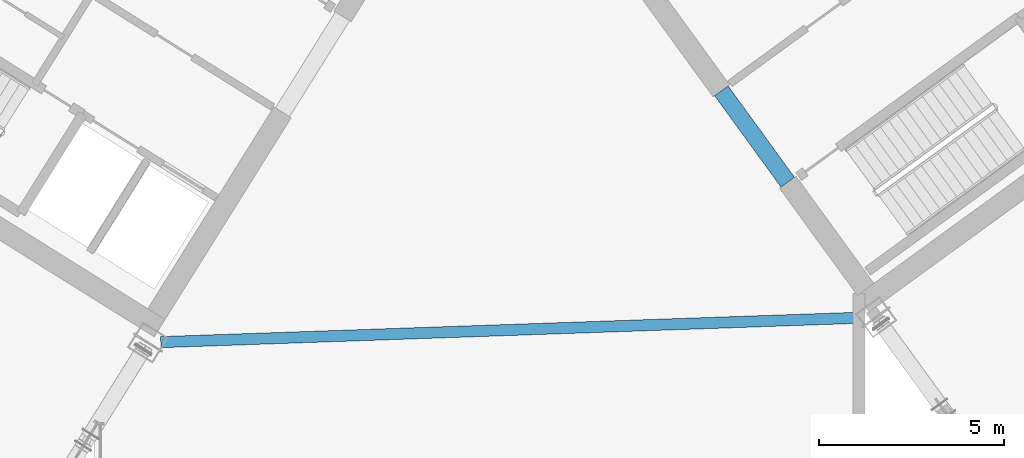
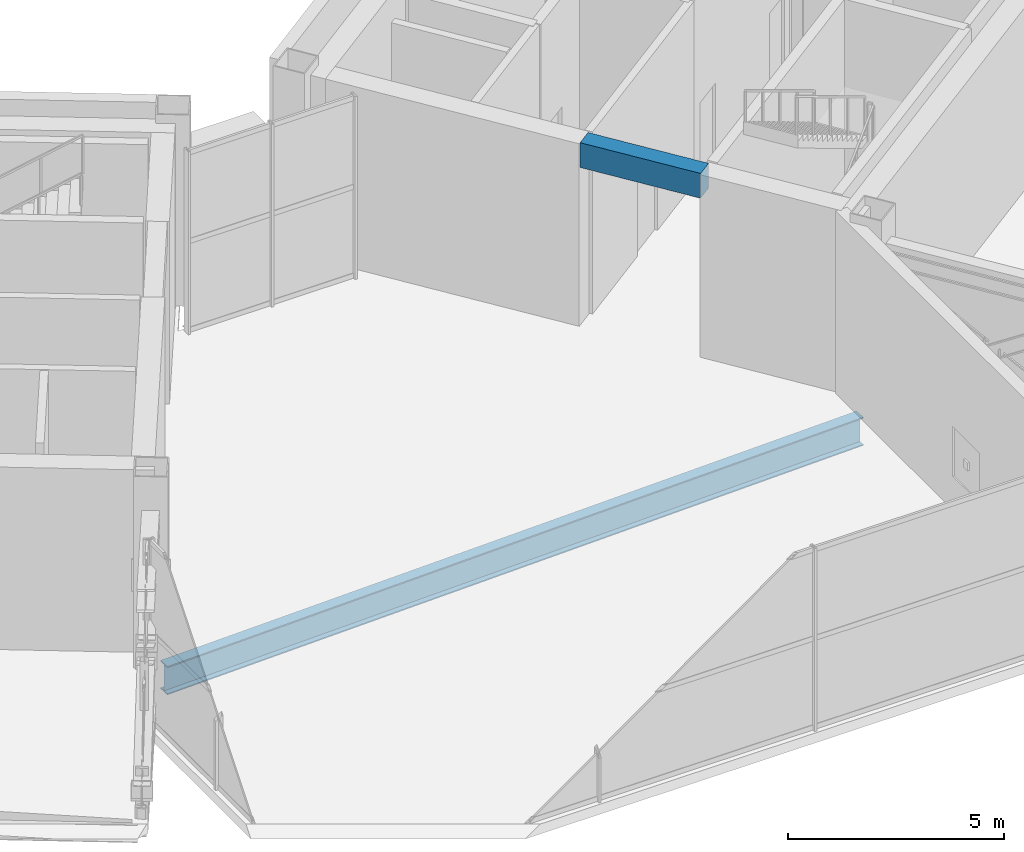
# One storey, part 9 of 30: 2 beams.
"""IFC4 building model written with IfcOpenShell, lengths in metres."""

from ifc_helpers import new_model, si_unit, direction, frame, origin, origin_2d, place, context, subcontext, project, spatial, rectangle, i_section, extrude, source, transform, mapped, material, material_profile, profile_set, type_object, element, save


model = new_model("IFC4")

# Units and contexts
model_context = context("Model", 3, precision=1e-05, world=origin(), true_north=direction((0.0, 1.0)))
body_context = subcontext(model_context, "Body", "Model", "MODEL_VIEW")
ifc_project = project(units=[si_unit("LENGTHUNIT", "METRE"), si_unit("AREAUNIT", "SQUARE_METRE"), si_unit("VOLUMEUNIT", "CUBIC_METRE"), si_unit("PLANEANGLEUNIT", "RADIAN"), si_unit("MASSUNIT", "GRAM", prefix="KILO")], contexts=[model_context])

# Site, building, storey
site_placement = place(None, origin())
site = spatial("IfcSite", under=ifc_project, at=site_placement, CompositionType="ELEMENT")
building_placement = place(site_placement, origin())
building = spatial("IfcBuilding", under=site, at=building_placement, Name="Tlacorven Tower", CompositionType="ELEMENT")
storey_placement = place(building_placement, frame((0.0, 0.0, 169.5)))
storey = spatial("IfcBuildingStorey", under=building, at=storey_placement, Name="L43", CompositionType="ELEMENT", Elevation=169.5)

# Beams
ifc_material_1 = material(Name="Concrete C60/75", Category="concrete")
ifc_material_profile_1 = material_profile(ifc_material_1, rectangle(XDim=0.449951171875, YDim=0.699951171875, at=origin_2d()), Name="RC 450X700")
ifc_profile_set_1 = profile_set([ifc_material_profile_1], Name="Concrete C60/75")
beam_type_1 = type_object("IfcBeamType", Name="BM-LNT-700", PredefinedType="LINTEL", material=ifc_profile_set_1)
shared_shape_1 = source(origin(), body_context, "Body", "SweptSolid", [
    extrude(rectangle(XDim=0.449951171875, YDim=0.699951171875, at=origin_2d()), origin(), (0.0, 0.0, 1.0), 3.050048828125),
])
beam_1_placement = place(storey_placement, frame((50.318359375, 16.416015625, 4.800048828125), z_axis=(-0.587776590479, 0.80902328748, 0.0), x_axis=(-0.80902328748, -0.587776590479, 0.0)))
element("IfcBeam", 1, at=beam_1_placement, inside=storey, type_object=beam_type_1, Name="L43 E core coupling lintel beam E1", PredefinedType="LINTEL", context=body_context, shape_type="MappedRepresentation", body=[
    mapped(shared_shape_1, transform((0.0, 0.0, 0.0), scale=1.0)),
])
ifc_material_2 = material(Name="Steel S355J2", Category="steel")
ifc_material_profile_2 = material_profile(ifc_material_2, i_section(OverallWidth=0.300048828125, OverallDepth=0.800048828125, WebThickness=0.017578125, FlangeThickness=0.032958984375, at=origin_2d()), Name="HEB 800")
ifc_profile_set_2 = profile_set([ifc_material_profile_2], Name="Steel S355J2")
beam_type_2 = type_object("IfcBeamType", Name="BM-POD-800", PredefinedType="BEAM", material=ifc_profile_set_2)
shared_shape_2 = source(origin(), body_context, "Body", "SweptSolid", [
    extrude(i_section(OverallWidth=0.300048828125, OverallDepth=0.800048828125, WebThickness=0.017578125, FlangeThickness=0.032958984375, at=origin_2d()), origin(), (0.0, 0.0, 1.0), 18.97119140625),
])
beam_2_placement = place(storey_placement, frame((33.39599609375, 12.09912109375, -0.679931640625), z_axis=(0.999390787537, 0.034900627304, 0.0), x_axis=(-0.034900627304, 0.999390787537, 0.0)))
element("IfcBeam", 2, at=beam_2_placement, inside=storey, type_object=beam_type_2, Name="L43 Knuckle Link Girder 2", PredefinedType="BEAM", context=body_context, shape_type="MappedRepresentation", body=[
    mapped(shared_shape_2, transform((0.0, 0.0, 0.0), scale=1.0)),
])

save(model, "model.ifc")
